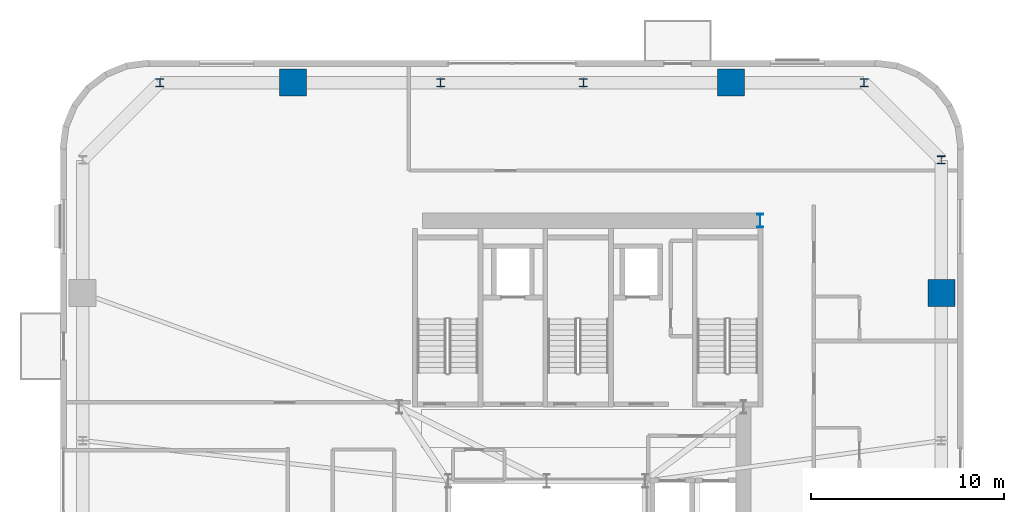
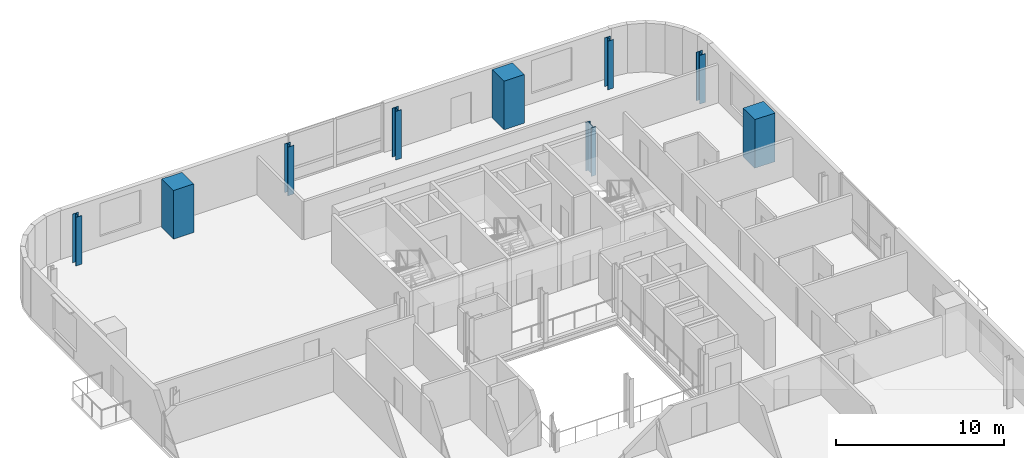
# One storey, part 2 of 16: 9 columns.
"""IFC4 building model written with IfcOpenShell, lengths in metres."""

from ifc_helpers import new_model, si_unit, direction, frame, origin, origin_2d, place, context, subcontext, project, spatial, rectangle, i_section, extrude, source, transform, mapped, material, material_profile, profile_set, type_object, element, save


model = new_model("IFC4")

# Units and contexts
model_context = context("Model", 3, precision=1e-05, world=origin(), true_north=direction((0.0, 1.0)))
body_context = subcontext(model_context, "Body", "Model", "MODEL_VIEW")
ifc_project = project(units=[si_unit("LENGTHUNIT", "METRE"), si_unit("AREAUNIT", "SQUARE_METRE"), si_unit("VOLUMEUNIT", "CUBIC_METRE"), si_unit("PLANEANGLEUNIT", "RADIAN"), si_unit("MASSUNIT", "GRAM", prefix="KILO")], contexts=[model_context])

# Site, building, storey
site_placement = place(None, origin())
site = spatial("IfcSite", under=ifc_project, at=site_placement, CompositionType="ELEMENT")
building_placement = place(site_placement, origin())
building = spatial("IfcBuilding", under=site, at=building_placement, Name="Vardaveli Station Tower", CompositionType="ELEMENT")
storey_placement = place(building_placement, frame((0.0, 0.0, 226.050048828125)))
storey = spatial("IfcBuildingStorey", under=building, at=storey_placement, Name="L58", CompositionType="ELEMENT", Elevation=226.050048828125)

# Columns
ifc_material_1 = material(Name="Structural steel S460M", Category="steel")
ifc_material_profile_1 = material_profile(ifc_material_1, i_section(OverallWidth=0.300048828125, OverallDepth=0.699951171875, WebThickness=0.01708984375, FlangeThickness=0.031982421875, FilletRadius=0.027099609375, at=origin_2d()), Name="HEB 700")
ifc_profile_set_1 = profile_set([ifc_material_profile_1], Name="Structural steel S460M")
column_type_1 = type_object("IfcColumnType", Name="COL-HEB700", PredefinedType="COLUMN", material=ifc_profile_set_1)
shared_shape_1 = source(origin(), body_context, "Body", "SweptSolid", [
    extrude(i_section(OverallWidth=0.300048828125, OverallDepth=0.699951171875, WebThickness=0.01708984375, FlangeThickness=0.031982421875, FilletRadius=0.027099609375, at=origin_2d()), origin(), (0.0, 0.0, 1.0), 3.530029296875),
])
column_placement = place(storey_placement, frame((47.3701171875, 40.300048828125, 0.0), z_axis=(0.0, 0.0, 1.0), x_axis=(1.0, 0.0, 0.0)))
element("IfcColumn", 1, at=column_placement, inside=storey, type_object=column_type_1, Name="COL-L58-CC3", PredefinedType="COLUMN", context=body_context, shape_type="MappedRepresentation", body=[
    mapped(shared_shape_1, transform((0.0, 0.0, 0.0), scale=1.0)),
])
ifc_material_2 = material(Name="Concrete C50/60", Category="concrete")
ifc_material_profile_2 = material_profile(ifc_material_2, rectangle(XDim=1.39990234375, YDim=1.39990234375, at=origin_2d()), Name="MC 1400x1400")
ifc_profile_set_2 = profile_set([ifc_material_profile_2], Name="Concrete C50/60")
column_type_2 = type_object("IfcColumnType", Name="COL-MC-1400", PredefinedType="COLUMN", material=ifc_profile_set_2)
shared_shape_2 = source(origin(), body_context, "Body", "SweptSolid", [
    extrude(rectangle(XDim=1.39990234375, YDim=1.39990234375, at=origin_2d()), origin(), (0.0, 0.0, 1.0), 3.530029296875),
])
for number, where, z_axis, x_axis, name in (
    (2, (56.75, 36.5400390625, 0.0), (0.0, 0.0, 1.0), (1.0, 0.0, 0.0), "COL-L58-MC4"),
    (3, (45.840087890625, 47.449951171875, 0.0), (0.0, 0.0, 1.0), (1.0, 0.0, 0.0), "COL-L58-MC5"),
    (4, (23.159912109375, 47.449951171875, 0.0), (0.0, 0.0, 1.0), (1.0, 0.0, 0.0), "COL-L58-MC6"),
):
    element("IfcColumn", number, at=place(storey_placement, frame(where, z_axis=z_axis, x_axis=x_axis)), inside=storey, type_object=column_type_2, Name=name, PredefinedType="COLUMN", context=body_context, shape_type="MappedRepresentation", body=[
        mapped(shared_shape_2, transform((0.0, 0.0, 0.0), scale=1.0)),
    ])
ifc_material_profile_3 = material_profile(ifc_material_1, i_section(OverallWidth=0.408935546875, OverallDepth=0.4169921875, WebThickness=0.021240234375, FlangeThickness=0.033203125, FilletRadius=0.014892578125, at=origin_2d()), Name="HD 400x347")
ifc_profile_set_3 = profile_set([ifc_material_profile_3], Name="Structural steel S460M")
column_type_3 = type_object("IfcColumnType", Name="COL-HD347", PredefinedType="COLUMN", material=ifc_profile_set_3)
shared_shape_3 = source(origin(), body_context, "Body", "SweptSolid", [
    extrude(i_section(OverallWidth=0.408935546875, OverallDepth=0.4169921875, WebThickness=0.021240234375, FlangeThickness=0.033203125, FilletRadius=0.014892578125, at=origin_2d()), origin(), (0.0, 0.0, 1.0), 3.530029296875),
])
for number, where, z_axis, x_axis, name in (
    (5, (56.75, 43.449951171875, 0.0), (0.0, 0.0, 1.0), (1.0, 0.0, 0.0), "COL-L58-PC08"),
    (6, (52.75, 47.449951171875, 0.0), (0.0, 0.0, 1.0), (1.0, 0.0, 0.0), "COL-L58-PC09"),
    (7, (38.199951171875, 47.449951171875, 0.0), (0.0, 0.0, 1.0), (1.0, 0.0, 0.0), "COL-L58-PC10"),
    (8, (30.800048828125, 47.449951171875, 0.0), (0.0, 0.0, 1.0), (1.0, 0.0, 0.0), "COL-L58-PC11"),
    (9, (16.25, 47.449951171875, 0.0), (0.0, 0.0, 1.0), (1.0, 0.0, 0.0), "COL-L58-PC12"),
):
    element("IfcColumn", number, at=place(storey_placement, frame(where, z_axis=z_axis, x_axis=x_axis)), inside=storey, type_object=column_type_3, Name=name, PredefinedType="COLUMN", context=body_context, shape_type="MappedRepresentation", body=[
        mapped(shared_shape_3, transform((0.0, 0.0, 0.0), scale=1.0)),
    ])

save(model, "model.ifc")
